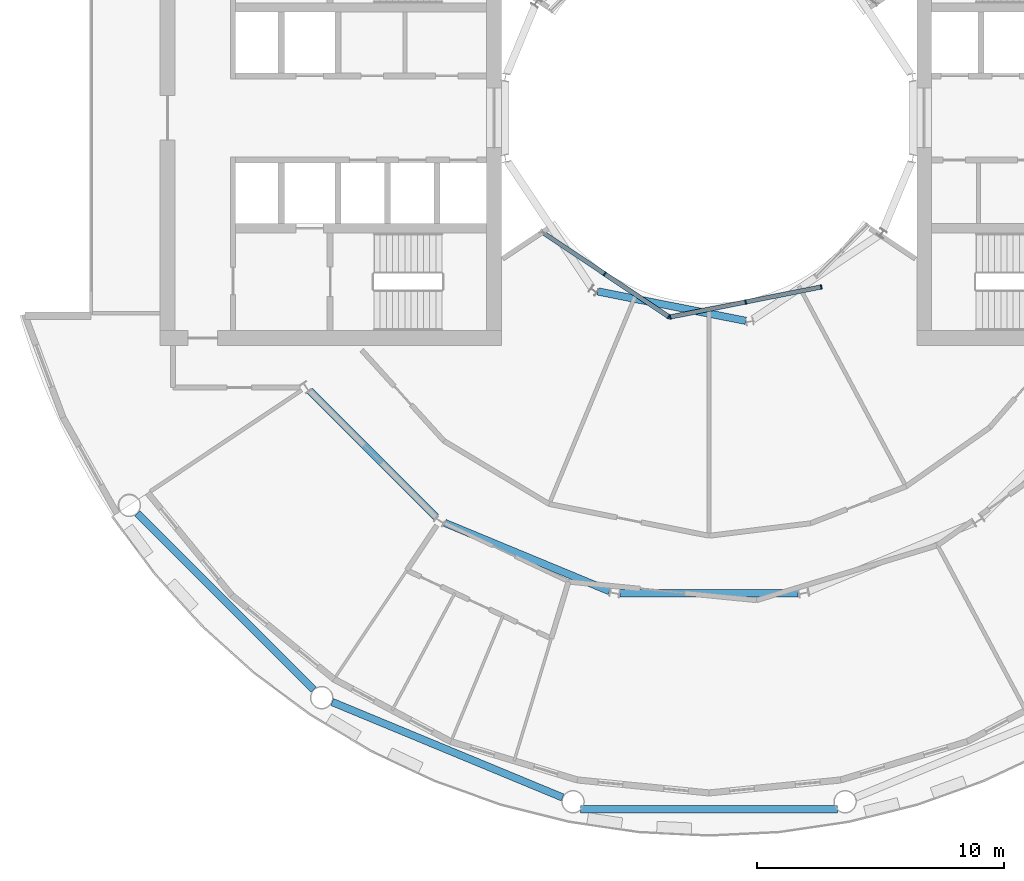
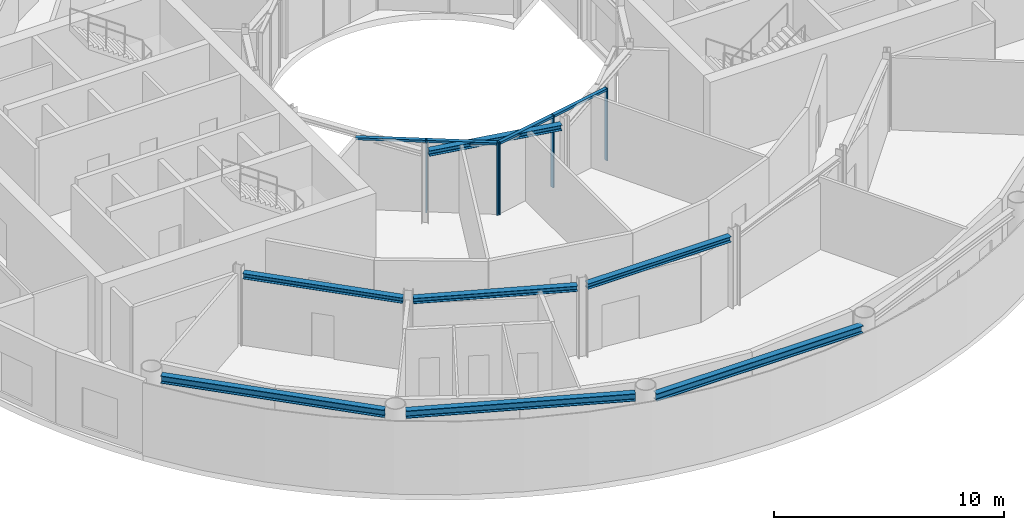
# One storey, part 5 of 21: 9 members, 7 beams, 2 elements without a shape of their own.
"""IFC4 building model written with IfcOpenShell, lengths in metres."""

from ifc_helpers import new_model, si_unit, direction, frame, origin, origin_2d, place, context, subcontext, project, spatial, rectangle, i_section, extrude, material, layer, layer_set, material_profile, profile_set, type_object, element, aggregate, save


model = new_model("IFC4")

# Units and contexts
model_context = context("Model", 3, precision=1e-05, world=origin(), true_north=direction((0.0, 1.0)))
body_context = subcontext(model_context, "Body", "Model", "MODEL_VIEW")
ifc_project = project(units=[si_unit("LENGTHUNIT", "METRE"), si_unit("AREAUNIT", "SQUARE_METRE"), si_unit("VOLUMEUNIT", "CUBIC_METRE"), si_unit("PLANEANGLEUNIT", "RADIAN"), si_unit("MASSUNIT", "GRAM", prefix="KILO")], contexts=[model_context])

# Site, building, storey
site_placement = place(None, origin())
site = spatial("IfcSite", under=ifc_project, at=site_placement, CompositionType="ELEMENT")
building_placement = place(site_placement, origin())
building = spatial("IfcBuilding", under=site, at=building_placement, Name="Maasbend Ring Residences", CompositionType="ELEMENT")
storey_placement = place(building_placement, frame((0.0, 0.0, 107.449951171875)))
storey = spatial("IfcBuildingStorey", under=building, at=storey_placement, Name="L30", CompositionType="ELEMENT", Elevation=107.449951171875)

# Curtain wall, members
ifc_material_1 = material(Name="Aluminium and clear glass", Category="aluminium")
ifc_layer = layer(ifc_material_1, 0.179931640625)
ifc_layer_set = layer_set([ifc_layer], Name="CW-W")
curtain_wall_type = type_object("IfcCurtainWallType", Name="CW-W", PredefinedType="NOTDEFINED", material=ifc_layer_set)
curtain_wall_1_placement = place(storey_placement, origin())
curtain_wall_1 = element("IfcCurtainWall", 1, at=curtain_wall_1_placement, inside=storey, type_object=curtain_wall_type, Name="Well curtain wall S1", PredefinedType="NOTDEFINED")
ifc_material_2 = material(Name="Aluminium 6063-T6", Category="aluminium")
ifc_material_profile_1 = material_profile(ifc_material_2, rectangle(XDim=0.179931640625, YDim=0.06005859375, at=origin_2d()), Name="AL 180x60")
ifc_profile_set_1 = profile_set([ifc_material_profile_1], Name="Aluminium 6063-T6")
member_type_1 = type_object("IfcMemberType", Name="CWM-W", PredefinedType="MULLION", material=ifc_profile_set_1)
member_1_placement = place(storey_placement, frame((-4.216796875, -6.310791015625, 0.0), z_axis=(0.0, 0.0, 1.0), x_axis=(0.55557023302, 0.831469612303, 0.0)))
member_1 = element("IfcMember", 2, at=member_1_placement, type_object=member_type_1, Name="Mullion well face", PredefinedType="MULLION", context=body_context, shape_type="SweptSolid", body=[
    extrude(rectangle(XDim=0.179931640625, YDim=0.06005859375, at=origin_2d()), origin(), (0.0, 0.0, 1.0), 3.85009765625),
])
member_2_placement = place(storey_placement, frame((-1.627685546875, -8.040771484375, 0.0), z_axis=(0.0, 0.0, 1.0), x_axis=(0.55557023302, 0.831469612303, 0.0)))
member_2 = element("IfcMember", 3, at=member_2_placement, type_object=member_type_1, Name="Mullion well face", PredefinedType="MULLION", context=body_context, shape_type="SweptSolid", body=[
    extrude(rectangle(XDim=0.179931640625, YDim=0.06005859375, at=origin_2d()), origin(), (0.0, 0.0, 1.0), 3.85009765625),
])

curtain_wall_2_placement = place(storey_placement, origin())
curtain_wall_2 = element("IfcCurtainWall", 4, at=curtain_wall_2_placement, inside=storey, type_object=curtain_wall_type, Name="Well curtain wall S2", PredefinedType="NOTDEFINED")
member_3_placement = place(storey_placement, frame((-1.5732421875, -8.0517578125, 0.0), z_axis=(0.0, 0.0, 1.0), x_axis=(-0.195090322016, 0.980785280403, 0.0)))
member_3 = element("IfcMember", 5, at=member_3_placement, type_object=member_type_1, Name="Mullion well face", PredefinedType="MULLION", context=body_context, shape_type="SweptSolid", body=[
    extrude(rectangle(XDim=0.179931640625, YDim=0.06005859375, at=origin_2d()), origin(), (0.0, 0.0, 1.0), 3.85009765625),
])
member_4_placement = place(storey_placement, frame((1.480712890625, -7.444091796875, 0.0), z_axis=(0.0, 0.0, 1.0), x_axis=(-0.195090322016, 0.980785280403, 0.0)))
member_4 = element("IfcMember", 6, at=member_4_placement, type_object=member_type_1, Name="Mullion well face", PredefinedType="MULLION", context=body_context, shape_type="SweptSolid", body=[
    extrude(rectangle(XDim=0.179931640625, YDim=0.06005859375, at=origin_2d()), origin(), (0.0, 0.0, 1.0), 3.85009765625),
])
member_5_placement = place(storey_placement, frame((4.53466796875, -6.836669921875, 0.0), z_axis=(0.0, 0.0, 1.0), x_axis=(-0.195090322016, 0.980785280403, 0.0)))
member_5 = element("IfcMember", 7, at=member_5_placement, type_object=member_type_1, Name="Mullion well face", PredefinedType="MULLION", context=body_context, shape_type="SweptSolid", body=[
    extrude(rectangle(XDim=0.179931640625, YDim=0.06005859375, at=origin_2d()), origin(), (0.0, 0.0, 1.0), 3.85009765625),
])

# Member
ifc_material_3 = material(Name="Aluminium 6063-T6", Category="aluminium")
ifc_material_profile_2 = material_profile(ifc_material_3, rectangle(XDim=0.179931640625, YDim=0.1201171875, at=origin_2d()), Name="AL 180x120")
ifc_profile_set_2 = profile_set([ifc_material_profile_2], Name="Aluminium 6063-T6")
member_type_2 = type_object("IfcMemberType", Name="CWT-W", PredefinedType="USERDEFINED", material=ifc_profile_set_2)
member_6_placement = place(storey_placement, frame((-6.781005859375, -4.59765625, 3.7900390625), z_axis=(0.831496422459, -0.555530106689, 0.0), x_axis=(0.555530106689, 0.831496422459, 0.0)))
member_6 = element("IfcMember", 8, at=member_6_placement, type_object=member_type_2, Name="Transom well face", ObjectType="TRANSOM", PredefinedType="USERDEFINED", context=body_context, shape_type="SweptSolid", body=[
    extrude(rectangle(XDim=0.179931640625, YDim=0.1201171875, at=origin_2d()), origin(), (0.0, 0.0, 1.0), 3.053955078125),
])

member_7_placement = place(storey_placement, frame((-4.19189453125, -6.32763671875, 3.7900390625), z_axis=(0.831496422459, -0.555530106689, 0.0), x_axis=(0.555530106689, 0.831496422459, 0.0)))
member_7 = element("IfcMember", 9, at=member_7_placement, type_object=member_type_2, Name="Transom well face", ObjectType="TRANSOM", PredefinedType="USERDEFINED", context=body_context, shape_type="SweptSolid", body=[
    extrude(rectangle(XDim=0.179931640625, YDim=0.1201171875, at=origin_2d()), origin(), (0.0, 0.0, 1.0), 3.053955078125),
])

aggregate(curtain_wall_1, [member_1, member_2, member_6, member_7])

member_8_placement = place(storey_placement, frame((-1.5439453125, -8.0458984375, 3.7900390625), z_axis=(0.980776956105, 0.195132166424, 0.0), x_axis=(-0.195132166424, 0.980776956105, 0.0)))
member_8 = element("IfcMember", 10, at=member_8_placement, type_object=member_type_2, Name="Transom well face", ObjectType="TRANSOM", PredefinedType="USERDEFINED", context=body_context, shape_type="SweptSolid", body=[
    extrude(rectangle(XDim=0.179931640625, YDim=0.1201171875, at=origin_2d()), origin(), (0.0, 0.0, 1.0), 3.053955078125),
])

member_9_placement = place(storey_placement, frame((1.51025390625, -7.438232421875, 3.7900390625), z_axis=(0.980789210404, 0.19507056353, 0.0), x_axis=(-0.19507056353, 0.980789210404, 0.0)))
member_9 = element("IfcMember", 11, at=member_9_placement, type_object=member_type_2, Name="Transom well face", ObjectType="TRANSOM", PredefinedType="USERDEFINED", context=body_context, shape_type="SweptSolid", body=[
    extrude(rectangle(XDim=0.179931640625, YDim=0.1201171875, at=origin_2d()), origin(), (0.0, 0.0, 1.0), 3.0537109375),
])

aggregate(curtain_wall_2, [member_3, member_4, member_5, member_8, member_9])

# Beams
ifc_material_4 = material(Name="Steel S355J2", Category="steel")
ifc_material_profile_3 = material_profile(ifc_material_4, i_section(OverallWidth=0.300048828125, OverallDepth=0.2900390625, WebThickness=0.008544921875, FlangeThickness=0.013916015625, FilletRadius=0.027099609375, at=origin_2d()), Name="HEA 300")
ifc_profile_set_3 = profile_set([ifc_material_profile_3], Name="Steel S355J2")
beam_type_1 = type_object("IfcBeamType", Name="Corridor ring beam HEA 300", PredefinedType="BEAM", material=ifc_profile_set_3)
for number, where, z_axis, x_axis, name in (
    (12, (-16.14111328125, -11.044921875, 3.705078125), (0.707106781187, -0.707106781187, 0.0), (0.707106781187, 0.707106781187, 0.0), "Corridor ring beam"),
    (13, (-10.685791015625, -16.381103515625, 3.705078125), (0.923877693919, -0.382687871089, 0.0), (0.382687871089, 0.923877693919, 0.0), "Corridor ring beam"),
    (14, (-3.603515625, -19.223388671875, 3.705078125), (1.0, 0.0, 0.0), (0.0, 1.0, 0.0), "Corridor ring beam"),
):
    element("IfcBeam", number, at=place(storey_placement, frame(where, z_axis=z_axis, x_axis=x_axis)), inside=storey, type_object=beam_type_1, Name=name, PredefinedType="BEAM", context=body_context, shape_type="SweptSolid", body=[
        extrude(i_section(OverallWidth=0.300048828125, OverallDepth=0.2900390625, WebThickness=0.008544921875, FlangeThickness=0.013916015625, FilletRadius=0.027099609375, at=origin_2d()), origin(), (0.0, 0.0, 1.0), 7.20703125),
    ])
ifc_material_5 = material(Name="Steel S355J2", Category="steel")
ifc_material_profile_4 = material_profile(ifc_material_5, i_section(OverallWidth=0.300048828125, OverallDepth=0.39990234375, WebThickness=0.013427734375, FlangeThickness=0.02392578125, FilletRadius=0.027099609375, at=origin_2d()), Name="HEB 400")
ifc_profile_set_4 = profile_set([ifc_material_profile_4], Name="Steel S355J2")
beam_type_2 = type_object("IfcBeamType", Name="Spandrel ring beam HEB 400", PredefinedType="SPANDREL", material=ifc_profile_set_4)
for number, where, z_axis, x_axis, name in (
    (15, (-23.124267578125, -15.990234375, 3.650146484375), (0.707106781187, -0.707106781187, 0.0), (0.707106781187, 0.707106781187, 0.0), "Spandrel ring beam"),
    (16, (-15.244873046875, -23.622314453125, 3.650146484375), (0.92388529709, -0.382669515144, 0.0), (0.382669515144, 0.92388529709, 0.0), "Spandrel ring beam"),
):
    element("IfcBeam", number, at=place(storey_placement, frame(where, z_axis=z_axis, x_axis=x_axis)), inside=storey, type_object=beam_type_2, Name=name, PredefinedType="SPANDREL", context=body_context, shape_type="SweptSolid", body=[
        extrude(i_section(OverallWidth=0.300048828125, OverallDepth=0.39990234375, WebThickness=0.013427734375, FlangeThickness=0.02392578125, FilletRadius=0.027099609375, at=origin_2d()), origin(), (0.0, 0.0, 1.0), 10.089111328125),
    ])
beam_1_placement = place(storey_placement, frame((-5.194580078125, -27.9580078125, 3.650146484375), z_axis=(1.0, 0.0, 0.0), x_axis=(0.0, 1.0, 0.0)))
element("IfcBeam", 17, at=beam_1_placement, inside=storey, type_object=beam_type_2, Name="Spandrel ring beam", PredefinedType="SPANDREL", context=body_context, shape_type="SweptSolid", body=[
    extrude(i_section(OverallWidth=0.300048828125, OverallDepth=0.39990234375, WebThickness=0.013427734375, FlangeThickness=0.02392578125, FilletRadius=0.027099609375, at=origin_2d()), origin(), (0.0, 0.0, 1.0), 10.38916015625),
])
ifc_material_6 = material(Name="Steel S355J2", Category="steel")
ifc_material_profile_5 = material_profile(ifc_material_6, i_section(OverallWidth=0.300048828125, OverallDepth=0.2900390625, WebThickness=0.008544921875, FlangeThickness=0.013916015625, FilletRadius=0.027099609375, at=origin_2d()), Name="HEA 300")
ifc_profile_set_5 = profile_set([ifc_material_profile_5], Name="Steel S355J2")
beam_type_3 = type_object("IfcBeamType", Name="Well edge beam HEA 300", PredefinedType="BEAM", material=ifc_profile_set_5)
beam_2_placement = place(storey_placement, frame((-4.507568359375, -7.01611328125, 3.705078125), z_axis=(0.980792381321, -0.195054619896, 0.0), x_axis=(0.195054619896, 0.980792381321, 0.0)))
element("IfcBeam", 18, at=beam_2_placement, inside=storey, type_object=beam_type_3, Name="Well edge beam", PredefinedType="BEAM", context=body_context, shape_type="SweptSolid", body=[
    extrude(i_section(OverallWidth=0.300048828125, OverallDepth=0.2900390625, WebThickness=0.008544921875, FlangeThickness=0.013916015625, FilletRadius=0.027099609375, at=origin_2d()), origin(), (0.0, 0.0, 1.0), 6.104248046875),
])

save(model, "model.ifc")
